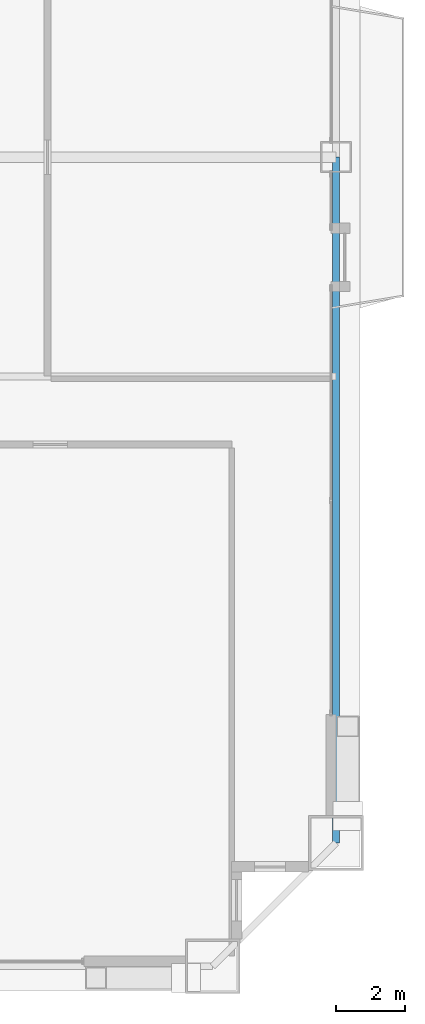
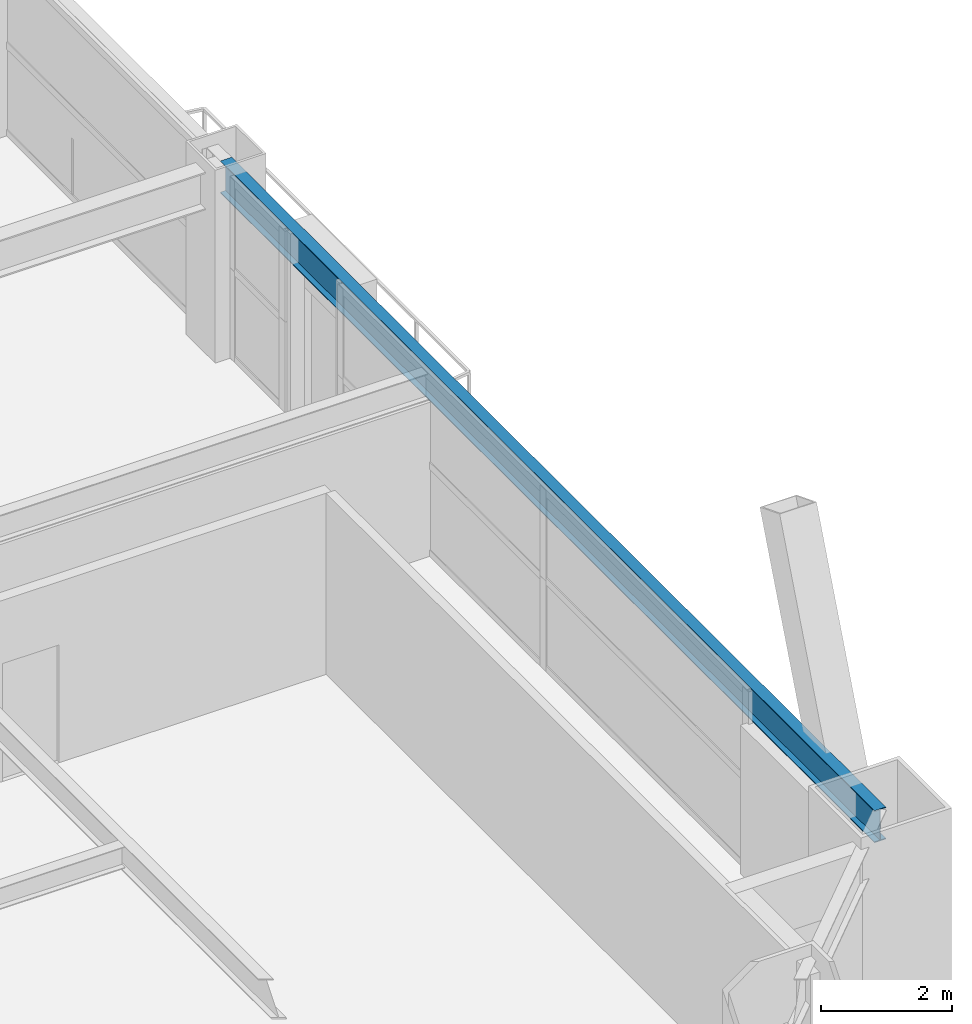
# One storey, part 19 of 43: 1 beam.
"""IFC4 building model written with IfcOpenShell, lengths in metres."""

import ifcopenshell
import ifcopenshell.guid

model = None  # the IFC model being written
_history = None  # IfcOwnerHistory: only IFC2X3 demands one
_inside = {}  # id of a spatial element -> (the spatial element, [elements in it])
_under = {}  # id of a project, library or spatial element -> (it, [spatial elements below it])
_declared = {}  # id of a project -> (the project, [libraries it declares])
_typed = {}  # id of a type object -> (the type object, [elements of that type])
_made_of = {}  # id of a material, layer set ... -> (it, [elements and type objects made of it])


def new_model(schema):
    """Start an empty IFC model of exactly this schema.

    Asked for "IFC4X3", IfcOpenShell would pick the latest addendum, in which some entities
    have other attributes; the version numbers below select the first issue.
    IFC2X3 requires an IfcOwnerHistory on every rooted entity: one is made here for all.
    """
    global model, _history
    if schema == "IFC4X3":
        model = ifcopenshell.file(schema_version=(4, 3, 0, 0))
    else:
        model = ifcopenshell.file(schema=schema)
    _inside.clear()
    _under.clear()
    _declared.clear()
    _typed.clear()
    _made_of.clear()
    _history = None
    if model.schema == "IFC2X3":
        org = make("IfcOrganization", Name="unknown")
        user = make(
            "IfcPersonAndOrganization",
            ThePerson=make("IfcPerson", FamilyName="unknown"),
            TheOrganization=org,
        )
        app = make(
            "IfcApplication",
            ApplicationDeveloper=org,
            Version="unknown",
            ApplicationFullName="unknown",
            ApplicationIdentifier="unknown",
        )
        _history = make(
            "IfcOwnerHistory",
            OwningUser=user,
            OwningApplication=app,
            ChangeAction="ADDED",
            CreationDate=0,
        )
    return model


def make(cls, **values):
    """One entity of the class cls with the attributes given. An attribute that is None is left unset."""
    return model.create_entity(
        cls, **{name: value for name, value in values.items() if value is not None}
    )


def rooted(cls, **values):
    """An entity with a GlobalId (a new one), such as an element, a storey or a relation."""
    return make(cls, GlobalId=ifcopenshell.guid.new(), OwnerHistory=_history, **values)


def si_unit(unit_type, name, prefix=None):
    """IfcSIUnit, for example si_unit("LENGTHUNIT", "METRE", prefix="MILLI")."""
    return make("IfcSIUnit", UnitType=unit_type, Prefix=prefix, Name=name)


def assignment(units):
    """IfcUnitAssignment: the units of a project."""
    return None if units is None else make("IfcUnitAssignment", Units=units)


def point(xyz):
    """IfcCartesianPoint."""
    return None if xyz is None else make("IfcCartesianPoint", Coordinates=xyz)


def direction(xyz):
    """IfcDirection."""
    return None if xyz is None else make("IfcDirection", DirectionRatios=xyz)


def frame(location, z_axis=None, x_axis=None):
    """IfcAxis2Placement3D, a coordinate frame: its origin and axes. An axis left out is left unset."""
    return make(
        "IfcAxis2Placement3D",
        Location=point(location),
        Axis=direction(z_axis),
        RefDirection=direction(x_axis),
    )


def frame_2d(location, x_axis=None):
    """IfcAxis2Placement2D, a coordinate frame in the plane: its origin and x axis."""
    return make(
        "IfcAxis2Placement2D", Location=point(location), RefDirection=direction(x_axis)
    )


def origin():
    """The frame at (0, 0, 0) with its axes left unset."""
    return frame((0.0, 0.0, 0.0))


def origin_2d():
    """The frame at (0, 0) in the plane with its x axis left unset."""
    return frame_2d((0.0, 0.0))


def place(relative_to, where):
    """IfcLocalPlacement: puts the frame where relative to a parent placement (None: the world)."""
    return make(
        "IfcLocalPlacement", PlacementRelTo=relative_to, RelativePlacement=where
    )


def context(
    kind, dimensions, precision=None, world=None, true_north=None, identifier=None
):
    """IfcGeometricRepresentationContext, for example the 3D "Model" context."""
    return make(
        "IfcGeometricRepresentationContext",
        ContextIdentifier=identifier,
        ContextType=kind,
        CoordinateSpaceDimension=dimensions,
        Precision=precision,
        WorldCoordinateSystem=world,
        TrueNorth=true_north,
    )


def subcontext(parent, identifier, kind, view, scale=None):
    """IfcGeometricRepresentationSubContext, for example "Body" below "Model"."""
    return make(
        "IfcGeometricRepresentationSubContext",
        ContextIdentifier=identifier,
        ContextType=kind,
        ParentContext=parent,
        TargetScale=scale,
        TargetView=view,
    )


def project(units=None, contexts=None):
    """IfcProject with its units and contexts."""
    return rooted(
        "IfcProject",
        Name="project",
        RepresentationContexts=contexts,
        UnitsInContext=assignment(units),
    )


def spatial(cls, under=None, at=None, **own):
    """A site, building, storey or space (cls), placed at a placement, below another one or the project."""
    s = rooted(cls, ObjectPlacement=at, **own)
    if under is not None:
        _under.setdefault(under.id(), (under, []))[1].append(s)
    return s


def profile(cls, at=None, kind="AREA", **sizes):
    """A parametric profile (cls). Its sizes go by their IFC names, for example OverallWidth=200.0."""
    return make(cls, ProfileType=kind, Position=at, **sizes)


def i_section(**sizes):
    """IfcIShapeProfileDef."""
    return profile("IfcIShapeProfileDef", **sizes)


def extrude(swept, where, along, depth):
    """IfcExtrudedAreaSolid: the profile swept, set in the frame where, extruded along a direction by depth."""
    return make(
        "IfcExtrudedAreaSolid",
        SweptArea=swept,
        Position=where,
        ExtrudedDirection=direction(along),
        Depth=depth,
    )


def shape(context_of_items, identifier, shape_type, items):
    """IfcShapeRepresentation: the items that make up one representation, for example the "Body"."""
    return make(
        "IfcShapeRepresentation",
        ContextOfItems=context_of_items,
        RepresentationIdentifier=identifier,
        RepresentationType=shape_type,
        Items=items,
    )


def source(mapping_origin, context_of_items, identifier, shape_type, items):
    """IfcRepresentationMap: a shape defined once, which mapped items show again and again."""
    return make(
        "IfcRepresentationMap",
        MappingOrigin=mapping_origin,
        MappedRepresentation=shape(context_of_items, identifier, shape_type, items),
    )


def transform(
    local_origin,
    x_axis=None,
    y_axis=None,
    z_axis=None,
    scale=None,
    scale2=None,
    scale3=None,
    uniform=True,
):
    """IfcCartesianTransformationOperator3D, or its non-uniform kind. x_axis, y_axis, z_axis: its Axis1, 2, 3."""
    if uniform:
        return make(
            "IfcCartesianTransformationOperator3D",
            Axis1=direction(x_axis),
            Axis2=direction(y_axis),
            LocalOrigin=point(local_origin),
            Scale=scale,
            Axis3=direction(z_axis),
        )
    return make(
        "IfcCartesianTransformationOperator3DnonUniform",
        Axis1=direction(x_axis),
        Axis2=direction(y_axis),
        LocalOrigin=point(local_origin),
        Scale=scale,
        Axis3=direction(z_axis),
        Scale2=scale2,
        Scale3=scale3,
    )


def mapped(mapping_source, mapping_target):
    """IfcMappedItem: shows the shape of a source again, moved by a transform."""
    return make(
        "IfcMappedItem", MappingSource=mapping_source, MappingTarget=mapping_target
    )


def material(Name=None, Category=None):
    """IfcMaterial."""
    return make("IfcMaterial", Name=Name, Category=Category)


def material_profile(
    of_material, cross_section, Name=None, Category=None, Priority=None
):
    """IfcMaterialProfile: a cross section and its material."""
    return make(
        "IfcMaterialProfile",
        Name=Name,
        Material=of_material,
        Profile=cross_section,
        Priority=Priority,
        Category=Category,
    )


def profile_set(profiles, Name=None, composite=None):
    """IfcMaterialProfileSet."""
    return make(
        "IfcMaterialProfileSet",
        Name=Name,
        MaterialProfiles=profiles,
        CompositeProfile=composite,
    )


def made_of(thing, what):
    """Note that an element or type object is made of a material, layer set ...; save() writes the relation."""
    if what is not None:
        _made_of.setdefault(what.id(), (what, []))[1].append(thing)
    return thing


def type_object(cls, material=None, **own):
    """A type object (cls), such as IfcWallType, which elements share."""
    return made_of(rooted(cls, **own), material)


def element(
    cls,
    number,
    at=None,
    inside=None,
    cuts=None,
    type_object=None,
    material=None,
    context=None,
    identifier="Body",
    shape_type=None,
    held_by="IfcProductDefinitionShape",
    body=None,
    shapes=None,
    **own,
):
    """One element of the class cls, such as IfcWall. Its Tag is "e" and its number.

    at: its placement. inside: the storey or other place that contains it. cuts: it is an
    opening in that element (IfcRelVoidsElement). A single representation is given by context,
    identifier, shape_type and body (its items); several are given by shapes. held_by: the class
    of the entity that holds the representations. save() writes the other relations.
    """
    e = rooted(cls, Tag="e%d" % number, ObjectPlacement=at, **own)
    if body is not None:
        shapes = [shape(context, identifier, shape_type, body)]
    if shapes is not None:
        e.Representation = make(held_by, Representations=shapes)
    if inside is not None:
        _inside.setdefault(inside.id(), (inside, []))[1].append(e)
    if cuts is not None:
        rooted(
            "IfcRelVoidsElement", RelatingBuildingElement=cuts, RelatedOpeningElement=e
        )
    if type_object is not None:
        _typed.setdefault(type_object.id(), (type_object, []))[1].append(e)
    return made_of(e, material)


def aggregate(whole, parts):
    """IfcRelAggregates: a whole, such as a stair, and the parts it consists of."""
    return rooted("IfcRelAggregates", RelatingObject=whole, RelatedObjects=parts)


def save(model, path):
    """Write the relations noted so far, then the file.

    IfcRelAggregates (storeys below a building ...), IfcRelContainedInSpatialStructure (elements
    in a storey), IfcRelDefinesByType, IfcRelAssociatesMaterial and IfcRelDeclares: one each for
    every whole, place, type object, material and project.
    """
    for whole, parts in _under.values():
        aggregate(whole, parts)
    for where, things in _inside.values():
        rooted(
            "IfcRelContainedInSpatialStructure",
            RelatedElements=things,
            RelatingStructure=where,
        )
    for kind, things in _typed.values():
        rooted("IfcRelDefinesByType", RelatedObjects=things, RelatingType=kind)
    for what, things in _made_of.values():
        rooted("IfcRelAssociatesMaterial", RelatedObjects=things, RelatingMaterial=what)
    for by, libraries in _declared.values():
        rooted("IfcRelDeclares", RelatingContext=by, RelatedDefinitions=libraries)
    model.write(path)


model = new_model("IFC4")

# Units and contexts
model_context = context("Model", 3, precision=1e-05, world=origin(), true_north=direction((0.0, 1.0)))
body_context = subcontext(model_context, "Body", "Model", "MODEL_VIEW")
ifc_project = project(units=[si_unit("LENGTHUNIT", "METRE"), si_unit("AREAUNIT", "SQUARE_METRE"), si_unit("VOLUMEUNIT", "CUBIC_METRE"), si_unit("PLANEANGLEUNIT", "RADIAN"), si_unit("MASSUNIT", "GRAM", prefix="KILO"), si_unit("THERMODYNAMICTEMPERATUREUNIT", "KELVIN"), si_unit("POWERUNIT", "WATT")], contexts=[model_context])

# Site, building, storey
site_placement = place(None, origin())
site = spatial("IfcSite", under=ifc_project, at=site_placement, CompositionType="ELEMENT")
building_placement = place(site_placement, origin())
building = spatial("IfcBuilding", under=site, at=building_placement, Name="Yuzanri Waterfront Tower", CompositionType="ELEMENT")
storey_placement = place(building_placement, frame((0.0, 0.0, 101.0)))
storey = spatial("IfcBuildingStorey", under=building, at=storey_placement, Name="L26", CompositionType="ELEMENT", Elevation=101.0)

# Beam
ifc_material = material(Name="Steel Q355B", Category="steel")
ifc_material_profile = material_profile(ifc_material, i_section(OverallWidth=0.199951171875, OverallDepth=0.60009765625, WebThickness=0.010986328125, FlangeThickness=0.01708984375, at=origin_2d()), Name="HN 600x200x11x17")
ifc_profile_set = profile_set([ifc_material_profile], Name="Steel Q355B")
beam_type = type_object("IfcBeamType", Name="Perimeter Spandrel Q355B HN 600x200", PredefinedType="SPANDREL", material=ifc_profile_set)
shared_shape = source(origin(), body_context, "Body", "SweptSolid", [
    extrude(i_section(OverallWidth=0.199951171875, OverallDepth=0.60009765625, WebThickness=0.010986328125, FlangeThickness=0.01708984375, at=origin_2d()), origin(), (0.0, 0.0, 1.0), 20.0),
])
beam_placement = place(storey_placement, frame((60.60009765625, 5.800048828125, 3.080078125), z_axis=(0.0, 1.0, 0.0), x_axis=(-1.0, 0.0, 0.0)))
element("IfcBeam", 1, at=beam_placement, inside=storey, type_object=beam_type, Name="L26 Perimeter Spandrel E1-E2", PredefinedType="SPANDREL", context=body_context, shape_type="MappedRepresentation", body=[
    mapped(shared_shape, transform((0.0, 0.0, 0.0), scale=1.0)),
])

save(model, "model.ifc")
